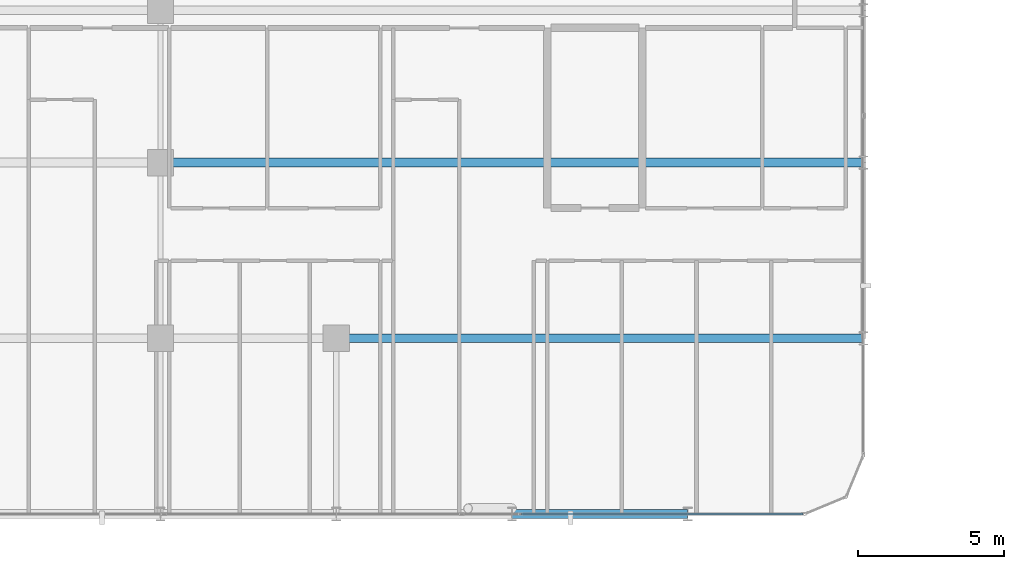
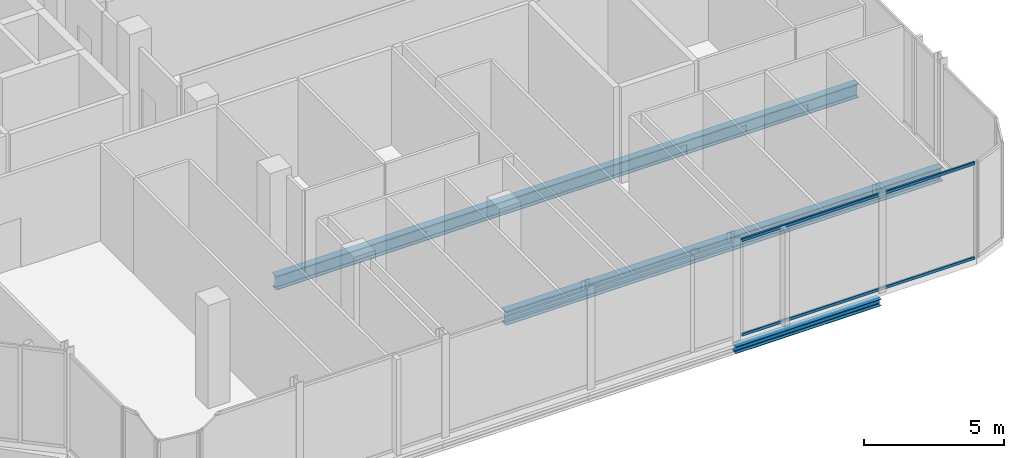
# One storey, part 11 of 28: 3 beams, 2 members, 1 element without a shape of its own.
"""IFC4 building model written with IfcOpenShell, lengths in metres."""

from ifc_helpers import new_model, si_unit, direction, frame, origin, origin_2d, place, context, subcontext, project, spatial, hollow_rectangle, i_section, extrude, material, layer, layer_set, material_profile, profile_set, type_object, element, aggregate, save


model = new_model("IFC4")

# Units and contexts
model_context = context("Model", 3, precision=1e-05, world=origin(), true_north=direction((0.0, 1.0)))
body_context = subcontext(model_context, "Body", "Model", "MODEL_VIEW")
ifc_project = project(units=[si_unit("LENGTHUNIT", "METRE"), si_unit("AREAUNIT", "SQUARE_METRE"), si_unit("VOLUMEUNIT", "CUBIC_METRE"), si_unit("PLANEANGLEUNIT", "RADIAN"), si_unit("MASSUNIT", "GRAM", prefix="KILO")], contexts=[model_context])

# Site, building, storey
site_placement = place(None, origin())
site = spatial("IfcSite", under=ifc_project, at=site_placement, CompositionType="ELEMENT")
building_placement = place(site_placement, origin())
building = spatial("IfcBuilding", under=site, at=building_placement, Name="Keshet Zoharim Tower", CompositionType="ELEMENT")
storey_placement = place(building_placement, frame((0.0, 0.0, 164.60009765625)))
storey = spatial("IfcBuildingStorey", under=building, at=storey_placement, Name="L40", CompositionType="ELEMENT", Elevation=164.60009765625)

# Beams
ifc_material_1 = material(Name="Steel S355", Category="steel")
ifc_material_profile_1 = material_profile(ifc_material_1, i_section(OverallWidth=0.300048828125, OverallDepth=0.60009765625, WebThickness=0.015380859375, FlangeThickness=0.030029296875, FilletRadius=0.027099609375, at=origin_2d()), Name="HEB600")
ifc_profile_set_1 = profile_set([ifc_material_profile_1], Name="Steel S355")
beam_type_1 = type_object("IfcBeamType", Name="BM-LNG-HB600", PredefinedType="BEAM", material=ifc_profile_set_1)
beam_1_placement = place(storey_placement, frame((39.0, 6.699951171875, -0.610107421875), z_axis=(1.0, 0.0, 0.0), x_axis=(0.0, 1.0, 0.0)))
element("IfcBeam", 1, at=beam_1_placement, inside=storey, type_object=beam_type_1, Name="L40 Primary Girder X-008", PredefinedType="BEAM", context=body_context, shape_type="SweptSolid", body=[
    extrude(i_section(OverallWidth=0.300048828125, OverallDepth=0.60009765625, WebThickness=0.015380859375, FlangeThickness=0.030029296875, FilletRadius=0.027099609375, at=origin_2d()), origin(), (0.0, 0.0, 1.0), 18.0),
])
beam_2_placement = place(storey_placement, frame((33.0, 12.699951171875, -0.610107421875), z_axis=(1.0, 0.0, 0.0), x_axis=(0.0, 1.0, 0.0)))
element("IfcBeam", 2, at=beam_2_placement, inside=storey, type_object=beam_type_1, Name="L40 Primary Girder X-010", PredefinedType="BEAM", context=body_context, shape_type="SweptSolid", body=[
    extrude(i_section(OverallWidth=0.300048828125, OverallDepth=0.60009765625, WebThickness=0.015380859375, FlangeThickness=0.030029296875, FilletRadius=0.027099609375, at=origin_2d()), origin(), (0.0, 0.0, 1.0), 24.0),
])
ifc_material_profile_2 = material_profile(ifc_material_1, i_section(OverallWidth=0.300048828125, OverallDepth=0.300048828125, WebThickness=0.010986328125, FlangeThickness=0.01904296875, FilletRadius=0.027099609375, at=origin_2d()), Name="HEB300")
ifc_profile_set_2 = profile_set([ifc_material_profile_2], Name="Steel S355")
beam_type_2 = type_object("IfcBeamType", Name="BM-PRI-HB300", PredefinedType="BEAM", material=ifc_profile_set_2)
beam_3_placement = place(storey_placement, frame((45.0, 0.699951171875, -0.460205078125), z_axis=(1.0, 0.0, 0.0), x_axis=(0.0, 1.0, 0.0)))
element("IfcBeam", 3, at=beam_3_placement, inside=storey, type_object=beam_type_2, Name="L40 Primary Girder X-004", PredefinedType="BEAM", context=body_context, shape_type="SweptSolid", body=[
    extrude(i_section(OverallWidth=0.300048828125, OverallDepth=0.300048828125, WebThickness=0.010986328125, FlangeThickness=0.01904296875, FilletRadius=0.027099609375, at=origin_2d()), origin(), (0.0, 0.0, 1.0), 6.0),
])

# Curtain wall, members
ifc_material_2 = material(Name="Aluminium 6063-T6", Category="aluminium")
ifc_layer = layer(ifc_material_2, 0.139892578125)
ifc_layer_set = layer_set([ifc_layer], Name="Aluminium 6063-T6")
curtain_wall_type = type_object("IfcCurtainWallType", Name="CW-SYS-05", PredefinedType="NOTDEFINED", material=ifc_layer_set)
curtain_wall_placement = place(storey_placement, origin())
curtain_wall = element("IfcCurtainWall", 4, at=curtain_wall_placement, inside=storey, type_object=curtain_wall_type, Name="L40 Unitised Curtain Wall 06", PredefinedType="NOTDEFINED")
ifc_material_profile_3 = material_profile(ifc_material_2, hollow_rectangle(XDim=0.074951171875, YDim=0.1201171875, WallThickness=0.00390625, at=origin_2d()), Name="TRN-75x120")
ifc_profile_set_3 = profile_set([ifc_material_profile_3], Name="Aluminium 6063-T6")
member_type = type_object("IfcMemberType", Name="CWT-T12", PredefinedType="USERDEFINED", material=ifc_profile_set_3)
member_1_placement = place(storey_placement, frame((54.929931640625, 0.699951171875, 0.034912109375), z_axis=(-1.0, 0.0, 0.0), x_axis=(0.0, -1.0, 0.0)))
member_1 = element("IfcMember", 5, at=member_1_placement, type_object=member_type, Name="CW-05 transom 1.1", ObjectType="TRANSOM", PredefinedType="USERDEFINED", context=body_context, shape_type="SweptSolid", body=[
    extrude(hollow_rectangle(XDim=0.074951171875, YDim=0.1201171875, WallThickness=0.00390625, at=origin_2d()), origin(), (0.0, 0.0, 1.0), 9.607421875),
])
member_2_placement = place(storey_placement, frame((54.929931640625, 0.699951171875, 4.15478515625), z_axis=(-1.0, 0.0, 0.0), x_axis=(0.0, -1.0, 0.0)))
member_2 = element("IfcMember", 6, at=member_2_placement, type_object=member_type, Name="CW-05 transom 1.2", ObjectType="TRANSOM", PredefinedType="USERDEFINED", context=body_context, shape_type="SweptSolid", body=[
    extrude(hollow_rectangle(XDim=0.074951171875, YDim=0.1201171875, WallThickness=0.00390625, at=origin_2d()), origin(), (0.0, 0.0, 1.0), 9.607421875),
])
aggregate(curtain_wall, [member_1, member_2])

save(model, "model.ifc")
